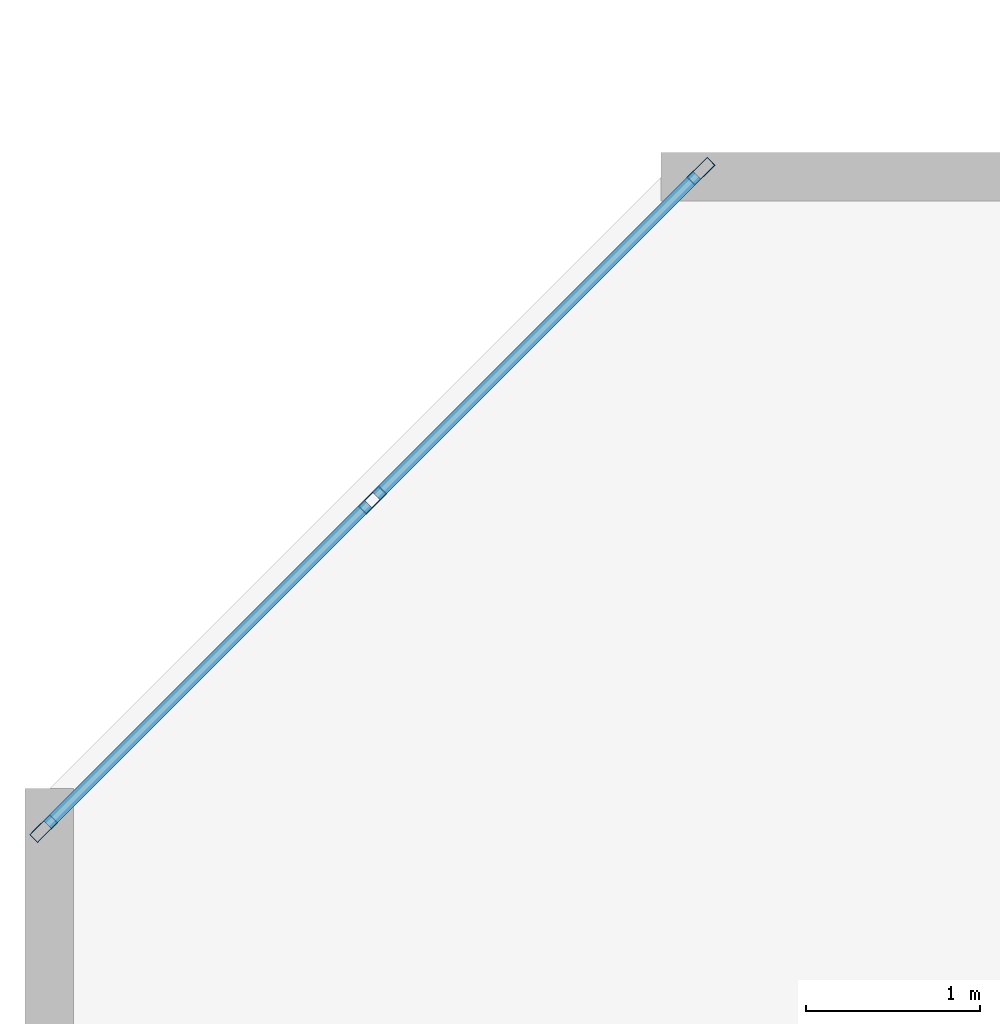
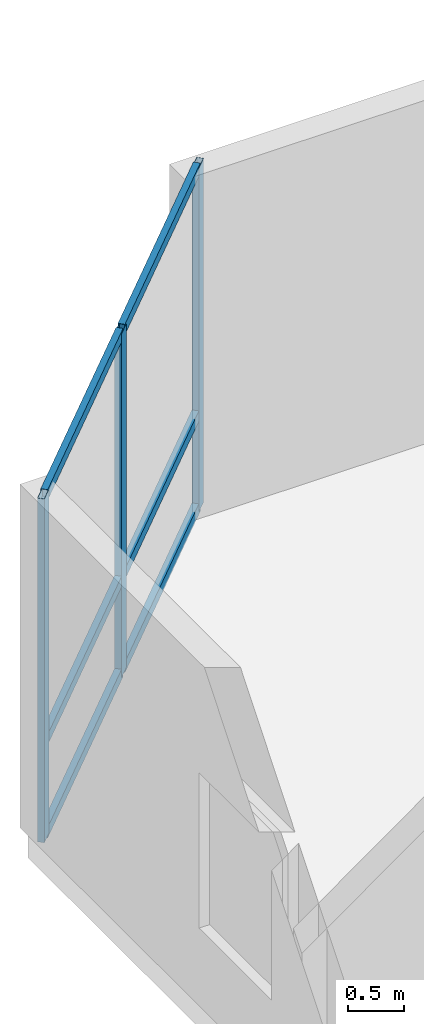
# One storey, part 2 of 11: 9 members, 1 element without a shape of its own.
"""IFC4 building model written with IfcOpenShell, lengths in metres."""

from ifc_helpers import new_model, si_unit, direction, frame, origin, origin_2d, place, context, subcontext, project, spatial, hollow_rectangle, extrude, material, layer, layer_set, material_profile, profile_set, type_object, element, aggregate, save


model = new_model("IFC4")

# Units and contexts
model_context = context("Model", 3, precision=1e-05, world=origin(), true_north=direction((0.0, 1.0)))
body_context = subcontext(model_context, "Body", "Model", "MODEL_VIEW")
ifc_project = project(units=[si_unit("LENGTHUNIT", "METRE"), si_unit("AREAUNIT", "SQUARE_METRE"), si_unit("VOLUMEUNIT", "CUBIC_METRE"), si_unit("PLANEANGLEUNIT", "RADIAN"), si_unit("MASSUNIT", "GRAM", prefix="KILO")], contexts=[model_context])

# Site, building, storey
site_placement = place(None, origin())
site = spatial("IfcSite", under=ifc_project, at=site_placement, CompositionType="ELEMENT")
building_placement = place(site_placement, origin())
building = spatial("IfcBuilding", under=site, at=building_placement, Name="Kestravale Grand Hotel", CompositionType="ELEMENT")
storey_placement = place(building_placement, frame((0.0, 0.0, 249.39990234375)))
storey = spatial("IfcBuildingStorey", under=building, at=storey_placement, Name="L62", CompositionType="ELEMENT", Elevation=249.39990234375)

# Curtain wall, members
ifc_material_1 = material(Name="Thermally broken champagne-bronze aluminium and low-E glazing", Category="aluminium")
ifc_layer = layer(ifc_material_1, 0.179931640625)
ifc_layer_set = layer_set([ifc_layer], Name="CW-Z4")
curtain_wall_type = type_object("IfcCurtainWallType", Name="CW-Z4", PredefinedType="NOTDEFINED", material=ifc_layer_set)
curtain_wall_placement = place(storey_placement, origin())
curtain_wall = element("IfcCurtainWall", 1, at=curtain_wall_placement, inside=storey, type_object=curtain_wall_type, Name="L62 unitised curtain wall 18", PredefinedType="NOTDEFINED")
ifc_material_2 = material(Name="Aluminium 6063-T6 anodised", Category="aluminium")
ifc_material_profile_1 = material_profile(ifc_material_2, hollow_rectangle(XDim=0.06494140625, YDim=0.1650390625, WallThickness=0.00341796875, at=origin_2d()))
ifc_profile_set_1 = profile_set([ifc_material_profile_1], Name="Aluminium 6063-T6 anodised")
member_type_1 = type_object("IfcMemberType", Name="CW-MUL-165", PredefinedType="MULLION", material=ifc_profile_set_1)
member_1_placement = place(storey_placement, frame((11.690185546875, 44.59228515625, 0.0), z_axis=(0.0, 0.0, 1.0), x_axis=(0.707106781187, -0.707106781187, 0.0)))
member_1 = element("IfcMember", 2, at=member_1_placement, type_object=member_type_1, Name="CW-Z4 mullion 1", PredefinedType="MULLION", context=body_context, shape_type="SweptSolid", body=[
    extrude(hollow_rectangle(XDim=0.06494140625, YDim=0.1650390625, WallThickness=0.00341796875, at=origin_2d()), origin(), (0.0, 0.0, 1.0), 3.760009765625),
])
member_2_placement = place(storey_placement, frame((9.799072265625, 42.700927734375, 0.0), z_axis=(0.0, 0.0, 1.0), x_axis=(0.707106781187, -0.707106781187, 0.0)))
member_2 = element("IfcMember", 3, at=member_2_placement, type_object=member_type_1, Name="CW-Z4 mullion 2", PredefinedType="MULLION", context=body_context, shape_type="SweptSolid", body=[
    extrude(hollow_rectangle(XDim=0.06494140625, YDim=0.1650390625, WallThickness=0.00341796875, at=origin_2d()), origin(), (0.0, 0.0, 1.0), 3.760009765625),
])
member_3_placement = place(storey_placement, frame((7.90771484375, 40.809814453125, 0.0), z_axis=(0.0, 0.0, 1.0), x_axis=(0.707106781187, -0.707106781187, 0.0)))
member_3 = element("IfcMember", 4, at=member_3_placement, type_object=member_type_1, Name="CW-Z4 mullion 3", PredefinedType="MULLION", context=body_context, shape_type="SweptSolid", body=[
    extrude(hollow_rectangle(XDim=0.06494140625, YDim=0.1650390625, WallThickness=0.00341796875, at=origin_2d()), origin(), (0.0, 0.0, 1.0), 3.760009765625),
])
ifc_material_3 = material(Name="Aluminium 6063-T6 anodised", Category="aluminium")
ifc_material_profile_2 = material_profile(ifc_material_3, hollow_rectangle(XDim=0.06494140625, YDim=0.114990234375, WallThickness=0.003173828125, at=origin_2d()))
ifc_profile_set_2 = profile_set([ifc_material_profile_2], Name="Aluminium 6063-T6 anodised")
member_type_2 = type_object("IfcMemberType", Name="CW-TRN-115", PredefinedType="USERDEFINED", material=ifc_profile_set_2)
member_4_placement = place(storey_placement, frame((11.667236328125, 44.5693359375, 0.03271484375), z_axis=(-0.707060004037, -0.707153555242, 0.0), x_axis=(0.707153555242, -0.707060004037, 0.0)))
member_4 = element("IfcMember", 5, at=member_4_placement, type_object=member_type_2, Name="CW-Z4 transom 1.1", ObjectType="TRANSOM", PredefinedType="USERDEFINED", context=body_context, shape_type="SweptSolid", body=[
    extrude(hollow_rectangle(XDim=0.06494140625, YDim=0.114990234375, WallThickness=0.003173828125, at=origin_2d()), origin(), (0.0, 0.0, 1.0), 2.609619140625),
])
member_5_placement = place(storey_placement, frame((11.667236328125, 44.5693359375, 1.050048828125), z_axis=(-0.707060004037, -0.707153555242, 0.0), x_axis=(0.707153555242, -0.707060004037, 0.0)))
member_5 = element("IfcMember", 6, at=member_5_placement, type_object=member_type_2, Name="CW-Z4 transom 1.2", ObjectType="TRANSOM", PredefinedType="USERDEFINED", context=body_context, shape_type="SweptSolid", body=[
    extrude(hollow_rectangle(XDim=0.06494140625, YDim=0.114990234375, WallThickness=0.003173828125, at=origin_2d()), origin(), (0.0, 0.0, 1.0), 2.609619140625),
])
member_6_placement = place(storey_placement, frame((11.667236328125, 44.5693359375, 3.7275390625), z_axis=(-0.707060004037, -0.707153555242, 0.0), x_axis=(0.707153555242, -0.707060004037, 0.0)))
member_6 = element("IfcMember", 7, at=member_6_placement, type_object=member_type_2, Name="CW-Z4 transom 1.3", ObjectType="TRANSOM", PredefinedType="USERDEFINED", context=body_context, shape_type="SweptSolid", body=[
    extrude(hollow_rectangle(XDim=0.06494140625, YDim=0.114990234375, WallThickness=0.003173828125, at=origin_2d()), origin(), (0.0, 0.0, 1.0), 2.609619140625),
])
member_7_placement = place(storey_placement, frame((9.776123046875, 42.677978515625, 0.03271484375), z_axis=(-0.707153555242, -0.707060004037, 0.0), x_axis=(0.707060004037, -0.707153555242, 0.0)))
member_7 = element("IfcMember", 8, at=member_7_placement, type_object=member_type_2, Name="CW-Z4 transom 2.1", ObjectType="TRANSOM", PredefinedType="USERDEFINED", context=body_context, shape_type="SweptSolid", body=[
    extrude(hollow_rectangle(XDim=0.06494140625, YDim=0.114990234375, WallThickness=0.003173828125, at=origin_2d()), origin(), (0.0, 0.0, 1.0), 2.609619140625),
])
member_8_placement = place(storey_placement, frame((9.776123046875, 42.677978515625, 1.050048828125), z_axis=(-0.707153555242, -0.707060004037, 0.0), x_axis=(0.707060004037, -0.707153555242, 0.0)))
member_8 = element("IfcMember", 9, at=member_8_placement, type_object=member_type_2, Name="CW-Z4 transom 2.2", ObjectType="TRANSOM", PredefinedType="USERDEFINED", context=body_context, shape_type="SweptSolid", body=[
    extrude(hollow_rectangle(XDim=0.06494140625, YDim=0.114990234375, WallThickness=0.003173828125, at=origin_2d()), origin(), (0.0, 0.0, 1.0), 2.609619140625),
])
member_9_placement = place(storey_placement, frame((9.776123046875, 42.677978515625, 3.7275390625), z_axis=(-0.707153555242, -0.707060004037, 0.0), x_axis=(0.707060004037, -0.707153555242, 0.0)))
member_9 = element("IfcMember", 10, at=member_9_placement, type_object=member_type_2, Name="CW-Z4 transom 2.3", ObjectType="TRANSOM", PredefinedType="USERDEFINED", context=body_context, shape_type="SweptSolid", body=[
    extrude(hollow_rectangle(XDim=0.06494140625, YDim=0.114990234375, WallThickness=0.003173828125, at=origin_2d()), origin(), (0.0, 0.0, 1.0), 2.609619140625),
])
aggregate(curtain_wall, [member_1, member_2, member_3, member_4, member_5, member_6, member_7, member_8, member_9])

save(model, "model.ifc")
